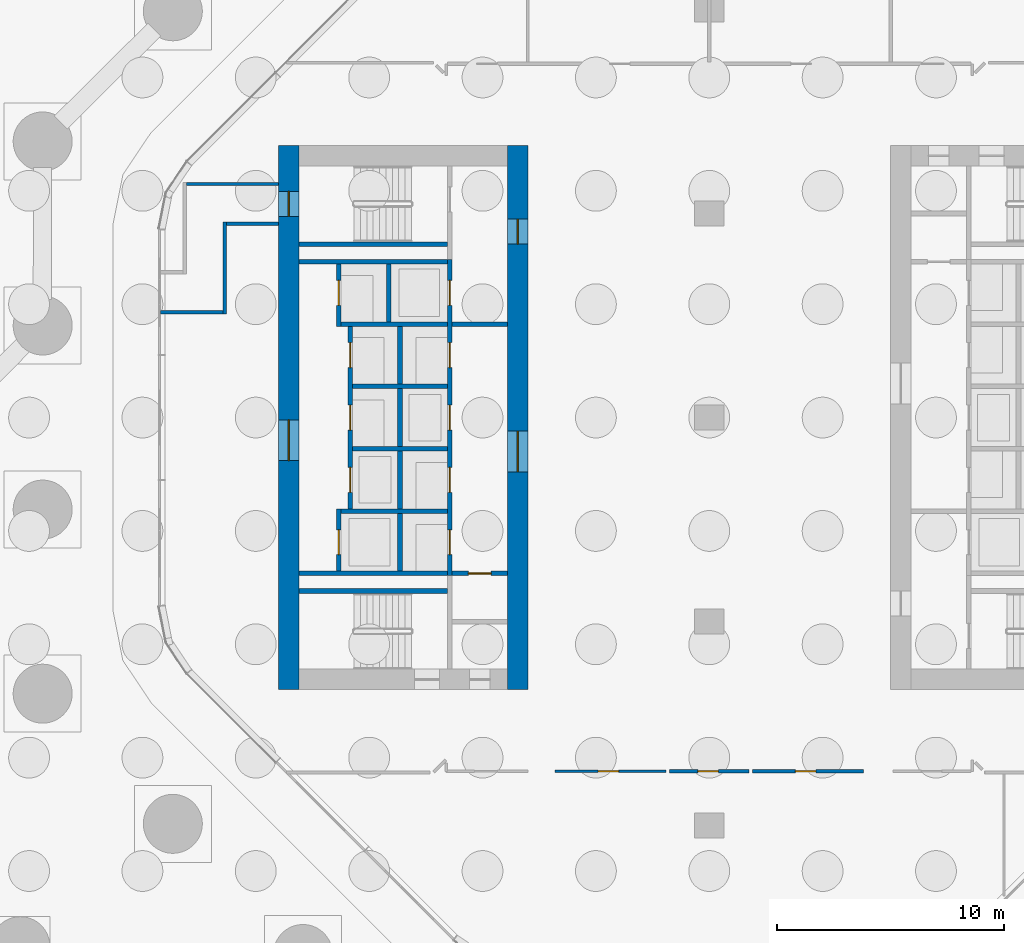
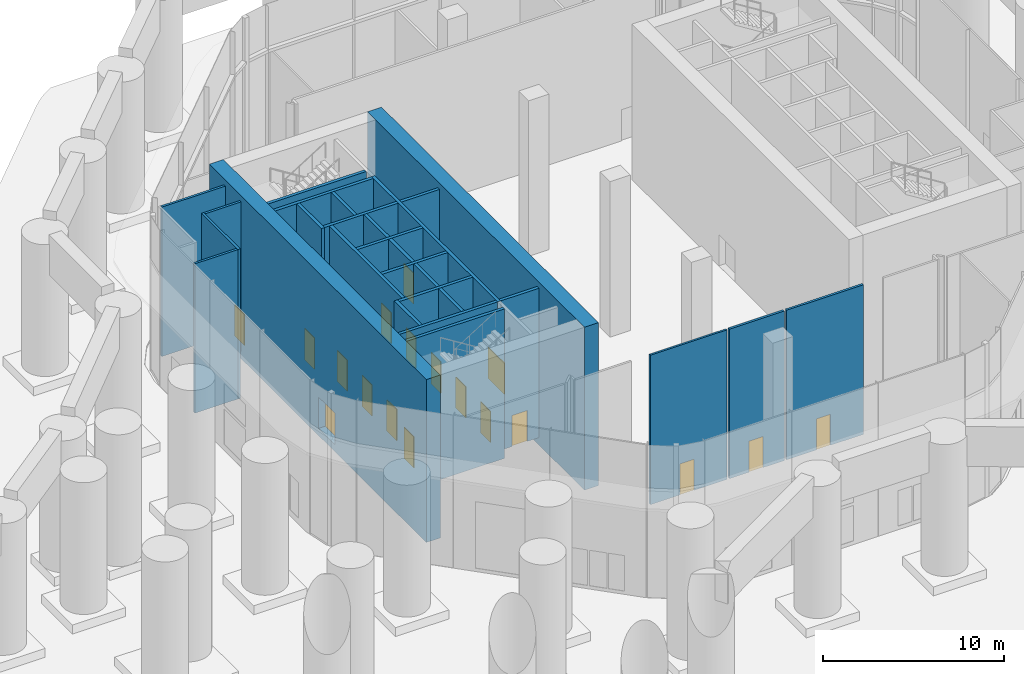
# One storey, part 23 of 31: 28 walls, 18 doors, 18 openings.
"""IFC4 building model written with IfcOpenShell, lengths in metres."""

from ifc_helpers import new_model, si_unit, direction, frame, frame_2d, origin, place, context, subcontext, project, spatial, rectangle, extrude, material, layer, layer_set, type_object, element, fill, save


model = new_model("IFC4")

# Units and contexts
model_context = context("Model", 3, precision=1e-05, world=origin(), true_north=direction((0.0, 1.0)))
body_context = subcontext(model_context, "Body", "Model", "MODEL_VIEW")
ifc_project = project(units=[si_unit("LENGTHUNIT", "METRE"), si_unit("AREAUNIT", "SQUARE_METRE"), si_unit("VOLUMEUNIT", "CUBIC_METRE"), si_unit("PLANEANGLEUNIT", "RADIAN"), si_unit("MASSUNIT", "GRAM", prefix="KILO")], contexts=[model_context])

# Site, building, storey
site_placement = place(None, origin())
site = spatial("IfcSite", under=ifc_project, at=site_placement, CompositionType="ELEMENT")
building_placement = place(site_placement, origin())
building = spatial("IfcBuilding", under=site, at=building_placement, Name="Orlundy Tower", CompositionType="ELEMENT")
storey_placement = place(building_placement, origin())
storey = spatial("IfcBuildingStorey", under=building, at=storey_placement, Name="L00", CompositionType="ELEMENT", Elevation=0.0)

# Wall, openings, doors
ifc_material_1 = material(Name="Concrete C80/95", Category="concrete")
ifc_layer_1 = layer(ifc_material_1, 0.89990234375)
ifc_layer_set_1 = layer_set([ifc_layer_1], Name="CORE WALL 900 C80/95")
wall_type_1 = type_object("IfcWallType", Name="CORE WALL 900 C80/95", PredefinedType="SHEAR", material=ifc_layer_set_1)
wall_1_placement = place(storey_placement, frame((-18.550048828125, -12.0, -0.5), z_axis=(0.0, 0.0, 1.0), x_axis=(0.0, 1.0, 0.0)))
wall_1 = element("IfcWall", 1, at=wall_1_placement, inside=storey, type_object=wall_type_1, Name="Core wall W-W L00", PredefinedType="SHEAR", context=body_context, shape_type="SweptSolid", body=[
    extrude(rectangle(XDim=24.0, YDim=0.89990234375, at=frame_2d((12.0, 0.0))), origin(), (0.0, 0.0, 1.0), 11.0),
])
opening_1_placement = place(wall_1_placement, frame((10.10009765625, 0.0, 0.5)))
opening_1 = element("IfcOpeningElement", 2, at=opening_1_placement, cuts=wall_1, Name="Opening 01012", PredefinedType="OPENING", context=body_context, shape_type="SweptSolid", body=[
    extrude(rectangle(XDim=1.800048828125, YDim=2.10009765625, at=frame_2d((0.89990234375, 1.050048828125))), frame((0.0, 0.4599609375, 0.0), z_axis=(0.0, -1.0, 0.0), x_axis=(1.0, 0.0, 0.0)), (0.0, 0.0, 1.0), 0.919921875),
])
opening_2_placement = place(wall_1_placement, frame((20.875, 0.0, 0.5)))
opening_2 = element("IfcOpeningElement", 3, at=opening_2_placement, cuts=wall_1, Name="Opening 01019", PredefinedType="OPENING", context=body_context, shape_type="SweptSolid", body=[
    extrude(rectangle(XDim=1.10009765625, YDim=2.10009765625, at=frame_2d((0.550048828125, 1.050048828125))), frame((0.0, 0.4599609375, 0.0), z_axis=(0.0, -1.0, 0.0), x_axis=(1.0, 0.0, 0.0)), (0.0, 0.0, 1.0), 0.919921875),
])
ifc_material_2 = material(Name="Timber door set", Category="wood")
door_type_1 = type_object("IfcDoorType", Name="Lobby Door 1800x2100", OperationType="DOUBLE_DOOR_DOUBLE_SWING", PredefinedType="DOOR", material=ifc_material_2)
door_1_placement = place(opening_1_placement, origin())
door_1 = element("IfcDoor", 4, at=door_1_placement, inside=storey, type_object=door_type_1, Name="Lift lobby door 01012", OperationType="SINGLE_SWING_LEFT", OverallHeight=2.10009765625, OverallWidth=1.800048828125, PredefinedType="DOOR", context=body_context, shape_type="SweptSolid", body=[
    extrude(rectangle(XDim=1.800048828125, YDim=2.10009765625, at=frame_2d((0.89990234375, 1.050048828125))), frame((0.0, 0.02490234375, 0.0), z_axis=(0.0, -1.0, 0.0), x_axis=(1.0, 0.0, 0.0)), (0.0, 0.0, 1.0), 0.050048828125),
])
fill(opening_1, door_1)
ifc_material_3 = material(Name="Steel door set", Category="steel")
door_type_2 = type_object("IfcDoorType", Name="Stair Door 1100x2100", OperationType="SINGLE_SWING_LEFT", PredefinedType="DOOR", material=ifc_material_3)
door_2_placement = place(opening_2_placement, origin())
door_2 = element("IfcDoor", 5, at=door_2_placement, inside=storey, type_object=door_type_2, Name="Stair exit door 01019", OperationType="SINGLE_SWING_RIGHT", OverallHeight=2.10009765625, OverallWidth=1.10009765625, PredefinedType="DOOR", context=body_context, shape_type="SweptSolid", body=[
    extrude(rectangle(XDim=1.10009765625, YDim=2.10009765625, at=frame_2d((0.550048828125, 1.050048828125))), frame((0.0, 0.02490234375, 0.0), z_axis=(0.0, -1.0, 0.0), x_axis=(1.0, 0.0, 0.0)), (0.0, 0.0, 1.0), 0.050048828125),
])
fill(opening_2, door_2)

wall_2_placement = place(storey_placement, frame((-8.449951171875, -12.0, -0.5), z_axis=(0.0, 0.0, 1.0), x_axis=(0.0, 1.0, 0.0)))
wall_2 = element("IfcWall", 6, at=wall_2_placement, inside=storey, type_object=wall_type_1, Name="Core wall W-E L00", PredefinedType="SHEAR", context=body_context, shape_type="SweptSolid", body=[
    extrude(rectangle(XDim=24.0, YDim=0.89990234375, at=frame_2d((12.0, 0.0))), origin(), (0.0, 0.0, 1.0), 11.0),
])
opening_3_placement = place(wall_2_placement, frame((9.60009765625, 0.0, 0.5)))
opening_3 = element("IfcOpeningElement", 7, at=opening_3_placement, cuts=wall_2, Name="Opening 01011", PredefinedType="OPENING", context=body_context, shape_type="SweptSolid", body=[
    extrude(rectangle(XDim=1.800048828125, YDim=2.10009765625, at=frame_2d((0.89990234375, 1.050048828125))), frame((0.0, 0.4599609375, 0.0), z_axis=(0.0, -1.0, 0.0), x_axis=(1.0, 0.0, 0.0)), (0.0, 0.0, 1.0), 0.919921875),
])
opening_4_placement = place(wall_2_placement, frame((19.64990234375, 0.0, 0.5)))
opening_4 = element("IfcOpeningElement", 8, at=opening_4_placement, cuts=wall_2, Name="Opening 01013", PredefinedType="OPENING", context=body_context, shape_type="SweptSolid", body=[
    extrude(rectangle(XDim=1.10009765625, YDim=2.10009765625, at=frame_2d((0.550048828125, 1.050048828125))), frame((0.0, 0.4599609375, 0.0), z_axis=(0.0, -1.0, 0.0), x_axis=(1.0, 0.0, 0.0)), (0.0, 0.0, 1.0), 0.919921875),
])
ifc_material_4 = material(Name="Steel door set", Category="steel")
door_type_3 = type_object("IfcDoorType", Name="Fire-fighting Lobby Door 1100x2100", OperationType="SINGLE_SWING_LEFT", PredefinedType="DOOR", material=ifc_material_4)
door_3_placement = place(opening_4_placement, origin())
door_3 = element("IfcDoor", 9, at=door_3_placement, inside=storey, type_object=door_type_3, Name="Fire-fighting lobby door 01013", OperationType="SINGLE_SWING_RIGHT", OverallHeight=2.10009765625, OverallWidth=1.10009765625, PredefinedType="DOOR", context=body_context, shape_type="SweptSolid", body=[
    extrude(rectangle(XDim=1.10009765625, YDim=2.10009765625, at=frame_2d((0.550048828125, 1.050048828125))), frame((0.0, 0.02490234375, 0.0), z_axis=(0.0, -1.0, 0.0), x_axis=(1.0, 0.0, 0.0)), (0.0, 0.0, 1.0), 0.050048828125),
])
fill(opening_4, door_3)
door_4_placement = place(opening_3_placement, origin())
door_4 = element("IfcDoor", 10, at=door_4_placement, inside=storey, type_object=door_type_1, Name="Lift lobby door 01011", OperationType="SINGLE_SWING_LEFT", OverallHeight=2.10009765625, OverallWidth=1.800048828125, PredefinedType="DOOR", context=body_context, shape_type="SweptSolid", body=[
    extrude(rectangle(XDim=1.800048828125, YDim=2.10009765625, at=frame_2d((0.89990234375, 1.050048828125))), frame((0.0, 0.02490234375, 0.0), z_axis=(0.0, -1.0, 0.0), x_axis=(1.0, 0.0, 0.0)), (0.0, 0.0, 1.0), 0.050048828125),
])
fill(opening_3, door_4)

# Wall, opening, door
ifc_material_5 = material(Name="Gypsum board partition, double layer")
ifc_layer_2 = layer(ifc_material_5, 0.125)
ifc_layer_set_2 = layer_set([ifc_layer_2], Name="Floor partition 125")
wall_type_2 = type_object("IfcWallType", Name="Floor partition 125", PredefinedType="PARTITIONING", material=ifc_layer_set_2)
wall_3_placement = place(storey_placement, frame((-1.89990234375, -15.60009765625, 0.0), z_axis=(0.0, 0.0, 1.0), x_axis=(-1.0, 0.0, 0.0)))
wall_3 = element("IfcWall", 11, at=wall_3_placement, inside=storey, type_object=wall_type_2, Name="wall-int-L00-007", PredefinedType="PARTITIONING", context=body_context, shape_type="SweptSolid", body=[
    extrude(rectangle(XDim=4.900146484375, YDim=0.125, at=frame_2d((2.4501953125, 0.0))), origin(), (0.0, 0.0, 1.0), 10.10009765625),
])
opening_5_placement = place(wall_3_placement, frame((2.10009765625, 0.0, 0.0)))
opening_5 = element("IfcOpeningElement", 12, at=opening_5_placement, cuts=wall_3, Name="Opening 01100", PredefinedType="OPENING", context=body_context, shape_type="SweptSolid", body=[
    extrude(rectangle(XDim=0.89990234375, YDim=2.10009765625, at=frame_2d((0.449951171875, 1.050048828125))), frame((0.0, 0.072509765625, 0.0), z_axis=(0.0, -1.0, 0.0), x_axis=(1.0, 0.0, 0.0)), (0.0, 0.0, 1.0), 0.14501953125),
])
ifc_material_6 = material(Name="Timber door leaf", Category="wood")
door_type_4 = type_object("IfcDoorType", Name="Floor door single 900 FD30S", OperationType="NOTDEFINED", PredefinedType="DOOR", material=ifc_material_6)
door_5_placement = place(opening_5_placement, origin())
door_5 = element("IfcDoor", 13, at=door_5_placement, inside=storey, type_object=door_type_4, Name="Door 01100", OperationType="SINGLE_SWING_RIGHT", OverallHeight=2.10009765625, OverallWidth=0.89990234375, PredefinedType="DOOR", context=body_context, shape_type="SweptSolid", body=[
    extrude(rectangle(XDim=0.89990234375, YDim=2.10009765625, at=frame_2d((0.449951171875, 1.050048828125))), frame((0.0, 0.02490234375, 0.0), z_axis=(0.0, -1.0, 0.0), x_axis=(1.0, 0.0, 0.0)), (0.0, 0.0, 1.0), 0.050048828125),
])
fill(opening_5, door_5)

ifc_material_7 = material(Name="Blockwork shaft wall", Category="masonry")
ifc_layer_3 = layer(ifc_material_7, 0.14990234375)
ifc_layer_set_3 = layer_set([ifc_layer_3], Name="Floor shaft wall 150")
wall_type_3 = type_object("IfcWallType", Name="Floor shaft wall 150", PredefinedType="PARTITIONING", material=ifc_layer_set_3)
wall_4_placement = place(storey_placement, frame((1.75, -15.60009765625, 0.0), z_axis=(0.0, 0.0, 1.0), x_axis=(-1.0, 0.0, 0.0)))
wall_4 = element("IfcWall", 14, at=wall_4_placement, inside=storey, type_object=wall_type_3, Name="wall-int-L00-008", PredefinedType="PARTITIONING", context=body_context, shape_type="SweptSolid", body=[
    extrude(rectangle(XDim=3.5, YDim=0.14990234375, at=frame_2d((1.75, 0.0))), origin(), (0.0, 0.0, 1.0), 10.10009765625),
])
opening_6_placement = place(wall_4_placement, frame((1.35009765625, 0.0, 0.0)))
opening_6 = element("IfcOpeningElement", 15, at=opening_6_placement, cuts=wall_4, Name="Opening 01101", PredefinedType="OPENING", context=body_context, shape_type="SweptSolid", body=[
    extrude(rectangle(XDim=0.89990234375, YDim=2.10009765625, at=frame_2d((0.449951171875, 1.050048828125))), frame((0.0, 0.0849609375, 0.0), z_axis=(0.0, -1.0, 0.0), x_axis=(1.0, 0.0, 0.0)), (0.0, 0.0, 1.0), 0.169921875),
])
ifc_material_8 = material(Name="Timber door leaf", Category="wood")
door_type_5 = type_object("IfcDoorType", Name="Floor door single 900 FD60", OperationType="NOTDEFINED", PredefinedType="DOOR", material=ifc_material_8)
door_6_placement = place(opening_6_placement, origin())
door_6 = element("IfcDoor", 16, at=door_6_placement, inside=storey, type_object=door_type_5, Name="Door 01101", OperationType="SINGLE_SWING_RIGHT", OverallHeight=2.10009765625, OverallWidth=0.89990234375, PredefinedType="DOOR", context=body_context, shape_type="SweptSolid", body=[
    extrude(rectangle(XDim=0.89990234375, YDim=2.10009765625, at=frame_2d((0.449951171875, 1.050048828125))), frame((0.0, 0.02490234375, 0.0), z_axis=(0.0, -1.0, 0.0), x_axis=(1.0, 0.0, 0.0)), (0.0, 0.0, 1.0), 0.050048828125),
])
fill(opening_6, door_6)

wall_5_placement = place(storey_placement, frame((6.800048828125, -15.60009765625, 0.0), z_axis=(0.0, 0.0, 1.0), x_axis=(-1.0, 0.0, 0.0)))
wall_5 = element("IfcWall", 17, at=wall_5_placement, inside=storey, type_object=wall_type_3, Name="wall-int-L00-009", PredefinedType="PARTITIONING", context=body_context, shape_type="SweptSolid", body=[
    extrude(rectangle(XDim=4.900146484375, YDim=0.14990234375, at=frame_2d((2.4501953125, 0.0))), origin(), (0.0, 0.0, 1.0), 10.10009765625),
])
opening_7_placement = place(wall_5_placement, frame((2.10009765625, 0.0, 0.0)))
opening_7 = element("IfcOpeningElement", 18, at=opening_7_placement, cuts=wall_5, Name="Opening 01102", PredefinedType="OPENING", context=body_context, shape_type="SweptSolid", body=[
    extrude(rectangle(XDim=0.89990234375, YDim=2.10009765625, at=frame_2d((0.449951171875, 1.050048828125))), frame((0.0, 0.0849609375, 0.0), z_axis=(0.0, -1.0, 0.0), x_axis=(1.0, 0.0, 0.0)), (0.0, 0.0, 1.0), 0.169921875),
])
door_7_placement = place(opening_7_placement, origin())
door_7 = element("IfcDoor", 19, at=door_7_placement, inside=storey, type_object=door_type_5, Name="Door 01102", OperationType="SINGLE_SWING_RIGHT", OverallHeight=2.10009765625, OverallWidth=0.89990234375, PredefinedType="DOOR", context=body_context, shape_type="SweptSolid", body=[
    extrude(rectangle(XDim=0.89990234375, YDim=2.10009765625, at=frame_2d((0.449951171875, 1.050048828125))), frame((0.0, 0.02490234375, 0.0), z_axis=(0.0, -1.0, 0.0), x_axis=(1.0, 0.0, 0.0)), (0.0, 0.0, 1.0), 0.050048828125),
])
fill(opening_7, door_7)

# Walls
ifc_material_9 = material(Name="Concrete C40/50", Category="concrete")
ifc_layer_4 = layer(ifc_material_9, 0.199951171875)
ifc_layer_set_4 = layer_set([ifc_layer_4], Name="Load-bearing Shaft Wall 200")
wall_type_4 = type_object("IfcWallType", Name="Load-bearing Shaft Wall 200", PredefinedType="SOLIDWALL", material=ifc_layer_set_4)
for number, where, z_axis, x_axis, name in (
    (20, (-11.5400390625, 7.64990234375, 0.0), (0.0, 0.0, 1.0), (-1.0, 0.0, 0.0), "Shaft wall W01-stair-side-n"),
    (21, (-11.5400390625, -7.64990234375, 0.0), (0.0, 0.0, 1.0), (-1.0, 0.0, 0.0), "Shaft wall W01-stair-side-s"),
):
    element("IfcWall", number, at=place(storey_placement, frame(where, z_axis=z_axis, x_axis=x_axis)), inside=storey, type_object=wall_type_4, Name=name, PredefinedType="SOLIDWALL", context=body_context, shape_type="SweptSolid", body=[
        extrude(rectangle(XDim=6.56005859375, YDim=0.199951171875, at=frame_2d((3.280029296875, 0.0))), origin(), (0.0, 0.0, 1.0), 10.090087890625),
    ])
ifc_material_10 = material(Name="Gypsum board partition on steel studs", Category="steel")
ifc_layer_5 = layer(ifc_material_10, 0.199951171875)
ifc_layer_set_5 = layer_set([ifc_layer_5], Name="Partition 200")
wall_type_5 = type_object("IfcWallType", Name="Partition 200", PredefinedType="PARTITIONING", material=ifc_layer_set_5)
wall_6_placement = place(storey_placement, frame((-8.89990234375, 4.125, 0.0), z_axis=(0.0, 0.0, 1.0), x_axis=(-1.0, 0.0, 0.0)))
element("IfcWall", 22, at=wall_6_placement, inside=storey, type_object=wall_type_5, Name="Partition wall W01-lobby-n", PredefinedType="PARTITIONING", context=body_context, shape_type="SweptSolid", body=[
    extrude(rectangle(XDim=2.440185546875, YDim=0.199951171875, at=frame_2d((1.22021484375, 0.0))), origin(), (0.0, 0.0, 1.0), 10.090087890625),
])

# Wall, opening, door
wall_7_placement = place(storey_placement, frame((-8.89990234375, -6.875, 0.0), z_axis=(0.0, 0.0, 1.0), x_axis=(-1.0, 0.0, 0.0)))
wall_7 = element("IfcWall", 23, at=wall_7_placement, inside=storey, type_object=wall_type_5, Name="Partition wall W01-end-s", PredefinedType="PARTITIONING", context=body_context, shape_type="SweptSolid", body=[
    extrude(rectangle(XDim=2.440185546875, YDim=0.199951171875, at=frame_2d((1.22021484375, 0.0))), origin(), (0.0, 0.0, 1.0), 10.090087890625),
])
opening_8_placement = place(wall_7_placement, frame((0.719970703125, 0.0, 0.0)))
opening_8 = element("IfcOpeningElement", 24, at=opening_8_placement, cuts=wall_7, Name="Opening 01018", PredefinedType="OPENING", context=body_context, shape_type="SweptSolid", body=[
    extrude(rectangle(XDim=1.0, YDim=2.10009765625, at=frame_2d((0.5, 1.050048828125))), frame((0.0, 0.110107421875, 0.0), z_axis=(0.0, -1.0, 0.0), x_axis=(1.0, 0.0, 0.0)), (0.0, 0.0, 1.0), 0.22021484375),
])
ifc_material_11 = material(Name="Timber door set", Category="wood")
door_type_6 = type_object("IfcDoorType", Name="Accessible Door 1000x2100", OperationType="SINGLE_SWING_LEFT", PredefinedType="DOOR", material=ifc_material_11)
door_8_placement = place(opening_8_placement, origin())
door_8 = element("IfcDoor", 25, at=door_8_placement, inside=storey, type_object=door_type_6, Name="Accessible WC door 01018", OperationType="SINGLE_SWING_RIGHT", OverallHeight=2.10009765625, OverallWidth=1.0, PredefinedType="DOOR", context=body_context, shape_type="SweptSolid", body=[
    extrude(rectangle(XDim=1.0, YDim=2.10009765625, at=frame_2d((0.5, 1.050048828125))), frame((0.0, 0.02490234375, 0.0), z_axis=(0.0, -1.0, 0.0), x_axis=(1.0, 0.0, 0.0)), (0.0, 0.0, 1.0), 0.050048828125),
])
fill(opening_8, door_8)

# Walls
ifc_material_12 = material(Name="Fire-rated blockwork shaft wall", Category="masonry")
ifc_layer_6 = layer(ifc_material_12, 0.14990234375)
ifc_layer_set_6 = layer_set([ifc_layer_6], Name="Shaft Wall 150")
wall_type_6 = type_object("IfcWallType", Name="Shaft Wall 150", PredefinedType="SOLIDWALL", material=ifc_layer_set_6)
wall_8_placement = place(storey_placement, frame((-23.050048828125, 10.300048828125, 0.0), z_axis=(0.0, 0.0, 1.0), x_axis=(1.0, 0.0, 0.0)))
element("IfcWall", 26, at=wall_8_placement, inside=storey, type_object=wall_type_6, Name="Exit passage wall ST-W1-3", PredefinedType="SOLIDWALL", context=body_context, shape_type="SweptSolid", body=[
    extrude(rectangle(XDim=4.050048828125, YDim=0.14990234375, at=frame_2d((2.02490234375, 0.0))), origin(), (0.0, 0.0, 1.0), 10.090087890625),
])
wall_9_placement = place(storey_placement, frame((-24.199951171875, 4.65234375, 0.0), z_axis=(0.0, 0.0, 1.0), x_axis=(1.0, 0.0, 0.0)))
element("IfcWall", 27, at=wall_9_placement, inside=storey, type_object=wall_type_6, Name="Exit passage wall ST-W1-4", PredefinedType="SOLIDWALL", context=body_context, shape_type="SweptSolid", body=[
    extrude(rectangle(XDim=2.75, YDim=0.14990234375, at=frame_2d((1.375, 0.0))), origin(), (0.0, 0.0, 1.0), 10.090087890625),
])
wall_10_placement = place(storey_placement, frame((-21.375, 4.577392578125, 0.0), z_axis=(0.0, 0.0, 1.0), x_axis=(0.0, 1.0, 0.0)))
element("IfcWall", 28, at=wall_10_placement, inside=storey, type_object=wall_type_6, Name="Exit passage wall ST-W1-5", PredefinedType="SOLIDWALL", context=body_context, shape_type="SweptSolid", body=[
    extrude(rectangle(XDim=4.047607421875, YDim=0.14990234375, at=frame_2d((2.02392578125, 0.0))), origin(), (0.0, 0.0, 1.0), 10.090087890625),
])
wall_11_placement = place(storey_placement, frame((-21.300048828125, 8.550048828125, 0.0), z_axis=(0.0, 0.0, 1.0), x_axis=(1.0, 0.0, 0.0)))
element("IfcWall", 29, at=wall_11_placement, inside=storey, type_object=wall_type_6, Name="Exit passage wall ST-W1-6", PredefinedType="SOLIDWALL", context=body_context, shape_type="SweptSolid", body=[
    extrude(rectangle(XDim=2.300048828125, YDim=0.14990234375, at=frame_2d((1.14990234375, 0.0))), origin(), (0.0, 0.0, 1.0), 10.090087890625),
])
ifc_material_13 = material(Name="Fire-rated blockwork shaft wall", Category="masonry")
ifc_layer_7 = layer(ifc_material_13, 0.199951171875)
ifc_layer_set_7 = layer_set([ifc_layer_7], Name="Shaft Wall 200")
wall_type_7 = type_object("IfcWallType", Name="Shaft Wall 200", PredefinedType="SOLIDWALL", material=ifc_layer_set_7)
for number, where, z_axis, x_axis, name in (
    (30, (-11.5400390625, 6.875, 0.0), (0.0, 0.0, 1.0), (-1.0, 0.0, 0.0), "Shaft wall W01-zone-n"),
    (31, (-11.5400390625, -6.875, 0.0), (0.0, 0.0, 1.0), (-1.0, 0.0, 0.0), "Shaft wall W01-zone-s"),
):
    element("IfcWall", number, at=place(storey_placement, frame(where, z_axis=z_axis, x_axis=x_axis)), inside=storey, type_object=wall_type_7, Name=name, PredefinedType="SOLIDWALL", context=body_context, shape_type="SweptSolid", body=[
        extrude(rectangle(XDim=6.56005859375, YDim=0.199951171875, at=frame_2d((3.280029296875, 0.0))), origin(), (0.0, 0.0, 1.0), 10.090087890625),
    ])
wall_12_placement = place(storey_placement, frame((-11.5400390625, -4.125, 0.0), z_axis=(0.0, 0.0, 1.0), x_axis=(-1.0, 0.0, 0.0)))
element("IfcWall", 32, at=wall_12_placement, inside=storey, type_object=wall_type_7, Name="Shaft wall W01-cross-4.125", PredefinedType="SOLIDWALL", context=body_context, shape_type="SweptSolid", body=[
    extrude(rectangle(XDim=4.699951171875, YDim=0.199951171875, at=frame_2d((2.35009765625, 0.0))), origin(), (0.0, 0.0, 1.0), 10.090087890625),
])
for number, where, z_axis, x_axis, name in (
    (33, (-11.5400390625, -1.375, 0.0), (0.0, 0.0, 1.0), (-1.0, 0.0, 0.0), "Shaft wall W01-cross-1.375"),
    (34, (-11.5400390625, 1.375, 0.0), (0.0, 0.0, 1.0), (-1.0, 0.0, 0.0), "Shaft wall W01-cross+1.375"),
):
    element("IfcWall", number, at=place(storey_placement, frame(where, z_axis=z_axis, x_axis=x_axis)), inside=storey, type_object=wall_type_7, Name=name, PredefinedType="SOLIDWALL", context=body_context, shape_type="SweptSolid", body=[
        extrude(rectangle(XDim=4.199951171875, YDim=0.199951171875, at=frame_2d((2.10009765625, 0.0))), origin(), (0.0, 0.0, 1.0), 10.090087890625),
    ])
wall_13_placement = place(storey_placement, frame((-11.5400390625, 4.125, 0.0), z_axis=(0.0, 0.0, 1.0), x_axis=(-1.0, 0.0, 0.0)))
element("IfcWall", 35, at=wall_13_placement, inside=storey, type_object=wall_type_7, Name="Shaft wall W01-cross+4.125", PredefinedType="SOLIDWALL", context=body_context, shape_type="SweptSolid", body=[
    extrude(rectangle(XDim=4.699951171875, YDim=0.199951171875, at=frame_2d((2.35009765625, 0.0))), origin(), (0.0, 0.0, 1.0), 10.090087890625),
])

# Wall, openings, doors
wall_14_placement = place(storey_placement, frame((-11.43994140625, -6.97509765625, 0.0), z_axis=(0.0, 0.0, 1.0), x_axis=(0.0, 1.0, 0.0)))
wall_14 = element("IfcWall", 36, at=wall_14_placement, inside=storey, type_object=wall_type_7, Name="Shaft wall W01-front-h", PredefinedType="SOLIDWALL", context=body_context, shape_type="SweptSolid", body=[
    extrude(rectangle(XDim=13.9501953125, YDim=0.199951171875, at=frame_2d((6.97509765625, 0.0))), origin(), (0.0, 0.0, 1.0), 10.090087890625),
])
opening_9_placement = place(wall_14_placement, frame((0.925048828125, 0.0, 0.0)))
opening_9 = element("IfcOpeningElement", 37, at=opening_9_placement, cuts=wall_14, Name="Opening 01001", PredefinedType="OPENING", context=body_context, shape_type="SweptSolid", body=[
    extrude(rectangle(XDim=1.10009765625, YDim=2.10009765625, at=frame_2d((0.550048828125, 1.050048828125))), frame((0.0, 0.110107421875, 0.0), z_axis=(0.0, -1.0, 0.0), x_axis=(1.0, 0.0, 0.0)), (0.0, 0.0, 1.0), 0.22021484375),
])
opening_10_placement = place(wall_14_placement, frame((3.675048828125, 0.0, 0.0)))
opening_10 = element("IfcOpeningElement", 38, at=opening_10_placement, cuts=wall_14, Name="Opening 01003", PredefinedType="OPENING", context=body_context, shape_type="SweptSolid", body=[
    extrude(rectangle(XDim=1.10009765625, YDim=2.10009765625, at=frame_2d((0.550048828125, 1.050048828125))), frame((0.0, 0.110107421875, 0.0), z_axis=(0.0, -1.0, 0.0), x_axis=(1.0, 0.0, 0.0)), (0.0, 0.0, 1.0), 0.22021484375),
])
opening_11_placement = place(wall_14_placement, frame((6.425048828125, 0.0, 0.0)))
opening_11 = element("IfcOpeningElement", 39, at=opening_11_placement, cuts=wall_14, Name="Opening 01005", PredefinedType="OPENING", context=body_context, shape_type="SweptSolid", body=[
    extrude(rectangle(XDim=1.10009765625, YDim=2.10009765625, at=frame_2d((0.550048828125, 1.050048828125))), frame((0.0, 0.110107421875, 0.0), z_axis=(0.0, -1.0, 0.0), x_axis=(1.0, 0.0, 0.0)), (0.0, 0.0, 1.0), 0.22021484375),
])
opening_12_placement = place(wall_14_placement, frame((9.175048828125, 0.0, 0.0)))
opening_12 = element("IfcOpeningElement", 40, at=opening_12_placement, cuts=wall_14, Name="Opening 01007", PredefinedType="OPENING", context=body_context, shape_type="SweptSolid", body=[
    extrude(rectangle(XDim=1.10009765625, YDim=2.10009765625, at=frame_2d((0.550048828125, 1.050048828125))), frame((0.0, 0.110107421875, 0.0), z_axis=(0.0, -1.0, 0.0), x_axis=(1.0, 0.0, 0.0)), (0.0, 0.0, 1.0), 0.22021484375),
])
opening_13_placement = place(wall_14_placement, frame((11.925048828125, 0.0, 0.0)))
opening_13 = element("IfcOpeningElement", 41, at=opening_13_placement, cuts=wall_14, Name="Opening 01009", PredefinedType="OPENING", context=body_context, shape_type="SweptSolid", body=[
    extrude(rectangle(XDim=1.10009765625, YDim=2.10009765625, at=frame_2d((0.550048828125, 1.050048828125))), frame((0.0, 0.110107421875, 0.0), z_axis=(0.0, -1.0, 0.0), x_axis=(1.0, 0.0, 0.0)), (0.0, 0.0, 1.0), 0.22021484375),
])
ifc_material_14 = material(Name="Steel door set", Category="steel")
door_type_7 = type_object("IfcDoorType", Name="Landing Door 1100x2100", OperationType="DOUBLE_DOOR_SLIDING", PredefinedType="DOOR", material=ifc_material_14)
door_9_placement = place(opening_9_placement, origin())
door_9 = element("IfcDoor", 42, at=door_9_placement, inside=storey, type_object=door_type_7, Name="Lift landing door LPD-01 01001", OperationType="DOUBLE_DOOR_SLIDING", OverallHeight=2.10009765625, OverallWidth=1.10009765625, PredefinedType="DOOR", context=body_context, shape_type="SweptSolid", body=[
    extrude(rectangle(XDim=1.10009765625, YDim=2.10009765625, at=frame_2d((0.550048828125, 1.050048828125))), frame((0.0, 0.02490234375, 0.0), z_axis=(0.0, -1.0, 0.0), x_axis=(1.0, 0.0, 0.0)), (0.0, 0.0, 1.0), 0.050048828125),
])
fill(opening_9, door_9)
door_10_placement = place(opening_10_placement, origin())
door_10 = element("IfcDoor", 43, at=door_10_placement, inside=storey, type_object=door_type_7, Name="Lift landing door LS-01 01003", OperationType="DOUBLE_DOOR_SLIDING", OverallHeight=2.10009765625, OverallWidth=1.10009765625, PredefinedType="DOOR", context=body_context, shape_type="SweptSolid", body=[
    extrude(rectangle(XDim=1.10009765625, YDim=2.10009765625, at=frame_2d((0.550048828125, 1.050048828125))), frame((0.0, 0.02490234375, 0.0), z_axis=(0.0, -1.0, 0.0), x_axis=(1.0, 0.0, 0.0)), (0.0, 0.0, 1.0), 0.050048828125),
])
fill(opening_10, door_10)
door_11_placement = place(opening_11_placement, origin())
door_11 = element("IfcDoor", 44, at=door_11_placement, inside=storey, type_object=door_type_7, Name="Lift landing door LP-05 01005", OperationType="DOUBLE_DOOR_SLIDING", OverallHeight=2.10009765625, OverallWidth=1.10009765625, PredefinedType="DOOR", context=body_context, shape_type="SweptSolid", body=[
    extrude(rectangle(XDim=1.10009765625, YDim=2.10009765625, at=frame_2d((0.550048828125, 1.050048828125))), frame((0.0, 0.02490234375, 0.0), z_axis=(0.0, -1.0, 0.0), x_axis=(1.0, 0.0, 0.0)), (0.0, 0.0, 1.0), 0.050048828125),
])
fill(opening_11, door_11)
door_12_placement = place(opening_12_placement, origin())
door_12 = element("IfcDoor", 45, at=door_12_placement, inside=storey, type_object=door_type_7, Name="Lift landing door LP-02 01007", OperationType="DOUBLE_DOOR_SLIDING", OverallHeight=2.10009765625, OverallWidth=1.10009765625, PredefinedType="DOOR", context=body_context, shape_type="SweptSolid", body=[
    extrude(rectangle(XDim=1.10009765625, YDim=2.10009765625, at=frame_2d((0.550048828125, 1.050048828125))), frame((0.0, 0.02490234375, 0.0), z_axis=(0.0, -1.0, 0.0), x_axis=(1.0, 0.0, 0.0)), (0.0, 0.0, 1.0), 0.050048828125),
])
fill(opening_12, door_12)
door_13_placement = place(opening_13_placement, origin())
door_13 = element("IfcDoor", 46, at=door_13_placement, inside=storey, type_object=door_type_7, Name="Lift landing door FL1 01009", OperationType="DOUBLE_DOOR_SLIDING", OverallHeight=2.10009765625, OverallWidth=1.10009765625, PredefinedType="DOOR", context=body_context, shape_type="SweptSolid", body=[
    extrude(rectangle(XDim=1.10009765625, YDim=2.10009765625, at=frame_2d((0.550048828125, 1.050048828125))), frame((0.0, 0.02490234375, 0.0), z_axis=(0.0, -1.0, 0.0), x_axis=(1.0, 0.0, 0.0)), (0.0, 0.0, 1.0), 0.050048828125),
])
fill(opening_13, door_13)

# Walls
for number, where, z_axis, x_axis, name in (
    (47, (-13.639892578125, -6.77490234375, 0.0), (0.0, 0.0, 1.0), (0.0, 1.0, 0.0), "Shaft wall W01-mid-a"),
    (48, (-13.639892578125, -4.02490234375, 0.0), (0.0, 0.0, 1.0), (0.0, 1.0, 0.0), "Shaft wall W01-mid-a.1"),
    (49, (-13.639892578125, -1.27490234375, 0.0), (0.0, 0.0, 1.0), (0.0, 1.0, 0.0), "Shaft wall W01-mid-a.2"),
    (50, (-13.639892578125, 1.47509765625, 0.0), (0.0, 0.0, 1.0), (0.0, 1.0, 0.0), "Shaft wall W01-mid-a.3"),
    (51, (-14.139892578125, 4.22509765625, 0.0), (0.0, 0.0, 1.0), (0.0, 1.0, 0.0), "Shaft wall W01-mid-b"),
):
    element("IfcWall", number, at=place(storey_placement, frame(where, z_axis=z_axis, x_axis=x_axis)), inside=storey, type_object=wall_type_7, Name=name, PredefinedType="SOLIDWALL", context=body_context, shape_type="SweptSolid", body=[
        extrude(rectangle(XDim=2.5498046875, YDim=0.199951171875, at=frame_2d((1.27490234375, 0.0))), origin(), (0.0, 0.0, 1.0), 10.090087890625),
    ])

# Wall, opening, door
wall_15_placement = place(storey_placement, frame((-16.340087890625, -6.77490234375, 0.0), z_axis=(0.0, 0.0, 1.0), x_axis=(0.0, 1.0, 0.0)))
wall_15 = element("IfcWall", 52, at=wall_15_placement, inside=storey, type_object=wall_type_7, Name="Shaft wall W01-front-o-a", PredefinedType="SOLIDWALL", context=body_context, shape_type="SweptSolid", body=[
    extrude(rectangle(XDim=2.75, YDim=0.199951171875, at=frame_2d((1.375, 0.0))), origin(), (0.0, 0.0, 1.0), 10.090087890625),
])
opening_14_placement = place(wall_15_placement, frame((0.72509765625, 0.0, 0.0)))
opening_14 = element("IfcOpeningElement", 53, at=opening_14_placement, cuts=wall_15, Name="Opening 01002", PredefinedType="OPENING", context=body_context, shape_type="SweptSolid", body=[
    extrude(rectangle(XDim=1.10009765625, YDim=2.10009765625, at=frame_2d((0.550048828125, 1.050048828125))), frame((0.0, 0.110107421875, 0.0), z_axis=(0.0, -1.0, 0.0), x_axis=(1.0, 0.0, 0.0)), (0.0, 0.0, 1.0), 0.22021484375),
])
door_14_placement = place(opening_14_placement, origin())
door_14 = element("IfcDoor", 54, at=door_14_placement, inside=storey, type_object=door_type_7, Name="Lift landing door LV-01 01002", OperationType="DOUBLE_DOOR_SLIDING", OverallHeight=2.10009765625, OverallWidth=1.10009765625, PredefinedType="DOOR", context=body_context, shape_type="SweptSolid", body=[
    extrude(rectangle(XDim=1.10009765625, YDim=2.10009765625, at=frame_2d((0.550048828125, 1.050048828125))), frame((0.0, 0.02490234375, 0.0), z_axis=(0.0, -1.0, 0.0), x_axis=(1.0, 0.0, 0.0)), (0.0, 0.0, 1.0), 0.050048828125),
])
fill(opening_14, door_14)

# Wall, openings, doors
wall_16_placement = place(storey_placement, frame((-15.840087890625, -4.02490234375, 0.0), z_axis=(0.0, 0.0, 1.0), x_axis=(0.0, 1.0, 0.0)))
wall_16 = element("IfcWall", 55, at=wall_16_placement, inside=storey, type_object=wall_type_7, Name="Shaft wall W01-front-o-b", PredefinedType="SOLIDWALL", context=body_context, shape_type="SweptSolid", body=[
    extrude(rectangle(XDim=8.0498046875, YDim=0.199951171875, at=frame_2d((4.02490234375, 0.0))), origin(), (0.0, 0.0, 1.0), 10.090087890625),
])
opening_15_placement = place(wall_16_placement, frame((0.72509765625, 0.0, 0.0)))
opening_15 = element("IfcOpeningElement", 56, at=opening_15_placement, cuts=wall_16, Name="Opening 01004", PredefinedType="OPENING", context=body_context, shape_type="SweptSolid", body=[
    extrude(rectangle(XDim=1.10009765625, YDim=2.10009765625, at=frame_2d((0.550048828125, 1.050048828125))), frame((0.0, 0.110107421875, 0.0), z_axis=(0.0, -1.0, 0.0), x_axis=(1.0, 0.0, 0.0)), (0.0, 0.0, 1.0), 0.22021484375),
])
opening_16_placement = place(wall_16_placement, frame((3.47509765625, 0.0, 0.0)))
opening_16 = element("IfcOpeningElement", 57, at=opening_16_placement, cuts=wall_16, Name="Opening 01006", PredefinedType="OPENING", context=body_context, shape_type="SweptSolid", body=[
    extrude(rectangle(XDim=1.10009765625, YDim=2.10009765625, at=frame_2d((0.550048828125, 1.050048828125))), frame((0.0, 0.110107421875, 0.0), z_axis=(0.0, -1.0, 0.0), x_axis=(1.0, 0.0, 0.0)), (0.0, 0.0, 1.0), 0.22021484375),
])
opening_17_placement = place(wall_16_placement, frame((6.22509765625, 0.0, 0.0)))
opening_17 = element("IfcOpeningElement", 58, at=opening_17_placement, cuts=wall_16, Name="Opening 01008", PredefinedType="OPENING", context=body_context, shape_type="SweptSolid", body=[
    extrude(rectangle(XDim=1.10009765625, YDim=2.10009765625, at=frame_2d((0.550048828125, 1.050048828125))), frame((0.0, 0.110107421875, 0.0), z_axis=(0.0, -1.0, 0.0), x_axis=(1.0, 0.0, 0.0)), (0.0, 0.0, 1.0), 0.22021484375),
])
door_15_placement = place(opening_15_placement, origin())
door_15 = element("IfcDoor", 59, at=door_15_placement, inside=storey, type_object=door_type_7, Name="Lift landing door LS-03 01004", OperationType="DOUBLE_DOOR_SLIDING", OverallHeight=2.10009765625, OverallWidth=1.10009765625, PredefinedType="DOOR", context=body_context, shape_type="SweptSolid", body=[
    extrude(rectangle(XDim=1.10009765625, YDim=2.10009765625, at=frame_2d((0.550048828125, 1.050048828125))), frame((0.0, 0.02490234375, 0.0), z_axis=(0.0, -1.0, 0.0), x_axis=(1.0, 0.0, 0.0)), (0.0, 0.0, 1.0), 0.050048828125),
])
fill(opening_15, door_15)
door_16_placement = place(opening_16_placement, origin())
door_16 = element("IfcDoor", 60, at=door_16_placement, inside=storey, type_object=door_type_7, Name="Lift landing door LP-01 01006", OperationType="DOUBLE_DOOR_SLIDING", OverallHeight=2.10009765625, OverallWidth=1.10009765625, PredefinedType="DOOR", context=body_context, shape_type="SweptSolid", body=[
    extrude(rectangle(XDim=1.10009765625, YDim=2.10009765625, at=frame_2d((0.550048828125, 1.050048828125))), frame((0.0, 0.02490234375, 0.0), z_axis=(0.0, -1.0, 0.0), x_axis=(1.0, 0.0, 0.0)), (0.0, 0.0, 1.0), 0.050048828125),
])
fill(opening_16, door_16)
door_17_placement = place(opening_17_placement, origin())
door_17 = element("IfcDoor", 61, at=door_17_placement, inside=storey, type_object=door_type_7, Name="Lift landing door LP-03 01008", OperationType="DOUBLE_DOOR_SLIDING", OverallHeight=2.10009765625, OverallWidth=1.10009765625, PredefinedType="DOOR", context=body_context, shape_type="SweptSolid", body=[
    extrude(rectangle(XDim=1.10009765625, YDim=2.10009765625, at=frame_2d((0.550048828125, 1.050048828125))), frame((0.0, 0.02490234375, 0.0), z_axis=(0.0, -1.0, 0.0), x_axis=(1.0, 0.0, 0.0)), (0.0, 0.0, 1.0), 0.050048828125),
])
fill(opening_17, door_17)

# Wall, opening, door
wall_17_placement = place(storey_placement, frame((-16.340087890625, 4.02490234375, 0.0), z_axis=(0.0, 0.0, 1.0), x_axis=(0.0, 1.0, 0.0)))
wall_17 = element("IfcWall", 62, at=wall_17_placement, inside=storey, type_object=wall_type_7, Name="Shaft wall W01-front-o-c", PredefinedType="SOLIDWALL", context=body_context, shape_type="SweptSolid", body=[
    extrude(rectangle(XDim=2.75, YDim=0.199951171875, at=frame_2d((1.375, 0.0))), origin(), (0.0, 0.0, 1.0), 10.090087890625),
])
opening_18_placement = place(wall_17_placement, frame((0.925048828125, 0.0, 0.0)))
opening_18 = element("IfcOpeningElement", 63, at=opening_18_placement, cuts=wall_17, Name="Opening 01010", PredefinedType="OPENING", context=body_context, shape_type="SweptSolid", body=[
    extrude(rectangle(XDim=1.10009765625, YDim=2.10009765625, at=frame_2d((0.550048828125, 1.050048828125))), frame((0.0, 0.110107421875, 0.0), z_axis=(0.0, -1.0, 0.0), x_axis=(1.0, 0.0, 0.0)), (0.0, 0.0, 1.0), 0.22021484375),
])
door_18_placement = place(opening_18_placement, origin())
door_18 = element("IfcDoor", 64, at=door_18_placement, inside=storey, type_object=door_type_7, Name="Lift landing door LP-04 01010", OperationType="DOUBLE_DOOR_SLIDING", OverallHeight=2.10009765625, OverallWidth=1.10009765625, PredefinedType="DOOR", context=body_context, shape_type="SweptSolid", body=[
    extrude(rectangle(XDim=1.10009765625, YDim=2.10009765625, at=frame_2d((0.550048828125, 1.050048828125))), frame((0.0, 0.02490234375, 0.0), z_axis=(0.0, -1.0, 0.0), x_axis=(1.0, 0.0, 0.0)), (0.0, 0.0, 1.0), 0.050048828125),
])
fill(opening_18, door_18)

save(model, "model.ifc")
